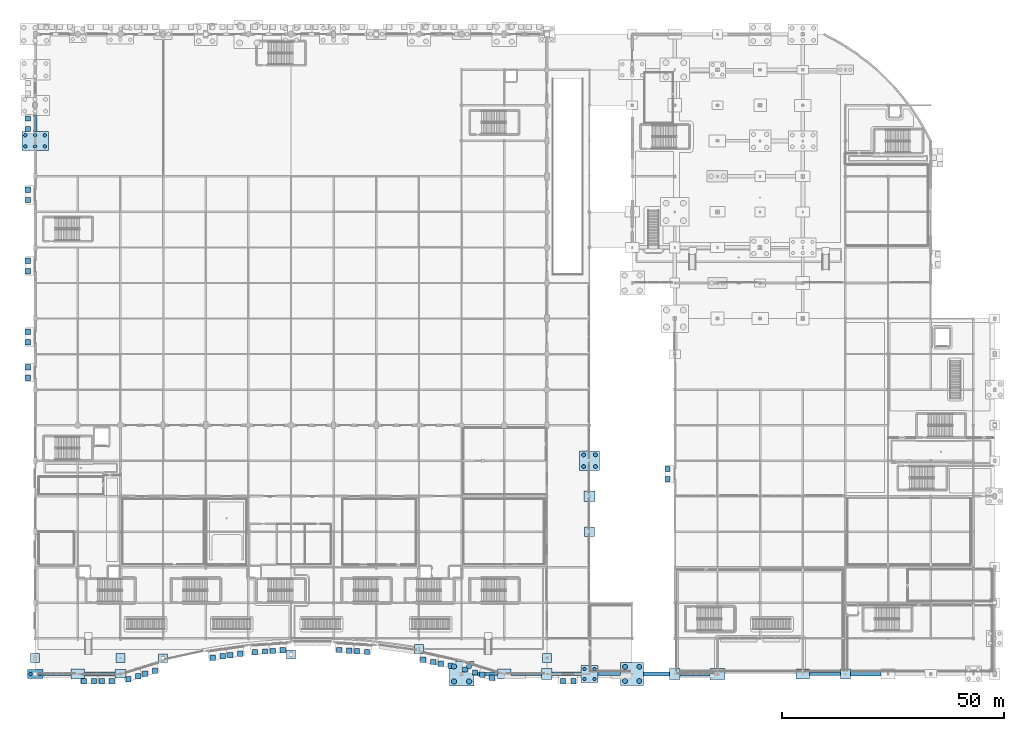
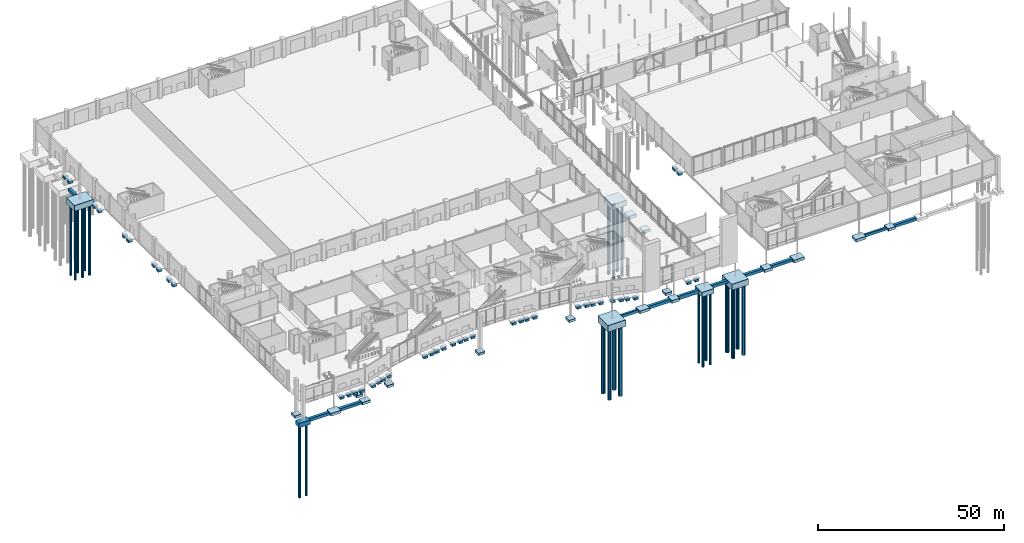
# One storey, part 1 of 124: 75 footings, 24 piles.
"""IFC4 building model written with IfcOpenShell, lengths in metres."""

from ifc_helpers import new_model, si_unit, direction, frame, origin, origin_2d, place, context, subcontext, project, spatial, rectangle, circle, extrude, material, material_profile, profile_set, type_object, element, save


model = new_model("IFC4")

# Units and contexts
model_context = context("Model", 3, precision=1e-05, world=origin(), true_north=direction((0.0, 1.0)))
body_context = subcontext(model_context, "Body", "Model", "MODEL_VIEW")
ifc_project = project(units=[si_unit("LENGTHUNIT", "METRE"), si_unit("AREAUNIT", "SQUARE_METRE"), si_unit("VOLUMEUNIT", "CUBIC_METRE"), si_unit("PLANEANGLEUNIT", "RADIAN"), si_unit("MASSUNIT", "GRAM", prefix="KILO")], contexts=[model_context])

# Site, building, storey
site_placement = place(None, origin())
site = spatial("IfcSite", under=ifc_project, at=site_placement, CompositionType="ELEMENT")
building_placement = place(site_placement, origin())
building = spatial("IfcBuilding", under=site, at=building_placement, Name="Danafjord Basin Convention Centre", CompositionType="ELEMENT")
storey_placement = place(building_placement, origin())
storey = spatial("IfcBuildingStorey", under=building, at=storey_placement, Name="L00", CompositionType="ELEMENT", Elevation=0.0)

# Footings
ifc_material_1 = material(Name="Concrete C40/50", Category="concrete")
footing_type_1 = type_object("IfcFootingType", Name="CAP-PC-01", PredefinedType="PILE_CAP", material=ifc_material_1)
footing_1_placement = place(storey_placement, frame((0.0, 0.0, -6.800048828125), z_axis=(0.0, 0.0, 1.0), x_axis=(1.0, 0.0, 0.0)))
element("IfcFooting", 1, at=footing_1_placement, inside=storey, type_object=footing_type_1, Name="L00 pile cap PC-01 at (0.0, 0.0)", PredefinedType="PILE_CAP", context=body_context, shape_type="SweptSolid", body=[
    extrude(rectangle(XDim=3.5, YDim=2.0, at=origin_2d()), origin(), (0.0, 0.0, 1.0), 1.39990234375),
])
footing_type_2 = type_object("IfcFootingType", Name="CAP-PC-07", PredefinedType="PILE_CAP", material=ifc_material_1)
footing_2_placement = place(storey_placement, frame((124.800048828125, 0.0, -6.9501953125), z_axis=(0.0, 0.0, 1.0), x_axis=(1.0, 0.0, 0.0)))
element("IfcFooting", 2, at=footing_2_placement, inside=storey, type_object=footing_type_2, Name="L00 pile cap PC-07 at (124.8, 0.0)", PredefinedType="PILE_CAP", context=body_context, shape_type="SweptSolid", body=[
    extrude(rectangle(XDim=3.800048828125, YDim=3.800048828125, at=origin_2d()), origin(), (0.0, 0.0, 1.0), 1.550048828125),
])
footing_type_3 = type_object("IfcFootingType", Name="CAP-PC-09", PredefinedType="PILE_CAP", material=ifc_material_1)
footing_3_placement = place(storey_placement, frame((124.800048828125, 48.0, -7.10009765625), z_axis=(0.0, 0.0, 1.0), x_axis=(1.0, 0.0, 0.0)))
element("IfcFooting", 3, at=footing_3_placement, inside=storey, type_object=footing_type_3, Name="L00 pile cap PC-09 at (124.8, 48.0)", PredefinedType="PILE_CAP", context=body_context, shape_type="SweptSolid", body=[
    extrude(rectangle(XDim=4.39990234375, YDim=4.39990234375, at=origin_2d()), origin(), (0.0, 0.0, 1.0), 1.699951171875),
])
footing_type_4 = type_object("IfcFootingType", Name="CAP-PC-13", PredefinedType="PILE_CAP", material=ifc_material_1)
footing_4_placement = place(storey_placement, frame((134.39990234375, 0.0, -7.39990234375), z_axis=(0.0, 0.0, 1.0), x_axis=(1.0, 0.0, 0.0)))
element("IfcFooting", 4, at=footing_4_placement, inside=storey, type_object=footing_type_4, Name="L00 pile cap PC-13 at (134.4, 0.0)", PredefinedType="PILE_CAP", context=body_context, shape_type="SweptSolid", body=[
    extrude(rectangle(XDim=5.199951171875, YDim=5.199951171875, at=origin_2d()), origin(), (0.0, 0.0, 1.0), 2.0),
])
footing_type_5 = type_object("IfcFootingType", Name="CAP-PC-14", PredefinedType="PILE_CAP", material=ifc_material_1)
footing_5_placement = place(storey_placement, frame((96.0, 0.0, -7.5), z_axis=(0.0, 0.0, 1.0), x_axis=(1.0, 0.0, 0.0)))
element("IfcFooting", 5, at=footing_5_placement, inside=storey, type_object=footing_type_5, Name="L00 pile cap PC-14 at (96.0, 0.0)", PredefinedType="PILE_CAP", context=body_context, shape_type="SweptSolid", body=[
    extrude(rectangle(XDim=5.5, YDim=5.5, at=origin_2d()), origin(), (0.0, 0.0, 1.0), 2.10009765625),
])
footing_type_6 = type_object("IfcFootingType", Name="CAP-PC-16", PredefinedType="PILE_CAP", material=ifc_material_1)
footing_6_placement = place(storey_placement, frame((0.0, 120.0, -7.300048828125), z_axis=(0.0, 0.0, 1.0), x_axis=(1.0, 0.0, 0.0)))
element("IfcFooting", 6, at=footing_6_placement, inside=storey, type_object=footing_type_6, Name="L00 pile cap PC-16 at (0.0, 120.0)", PredefinedType="PILE_CAP", context=body_context, shape_type="SweptSolid", body=[
    extrude(rectangle(XDim=6.0, YDim=4.300048828125, at=origin_2d()), origin(), (0.0, 0.0, 1.0), 1.89990234375),
])
ifc_material_profile_1 = material_profile(ifc_material_1, rectangle(XDim=0.800048828125, YDim=1.0, at=origin_2d()), Name="GB 800x1000")
ifc_profile_set_1 = profile_set([ifc_material_profile_1], Name="Concrete C40/50")
footing_type_7 = type_object("IfcFootingType", Name="FBM-FB-01", PredefinedType="FOOTING_BEAM", material=ifc_profile_set_1)
footing_7_placement = place(storey_placement, frame((1.75, 0.0, -5.89990234375), z_axis=(1.0, 0.0, 0.0), x_axis=(0.0, 1.0, 0.0)))
element("IfcFooting", 7, at=footing_7_placement, inside=storey, type_object=footing_type_7, Name="L00 foundation beam FB-01", PredefinedType="FOOTING_BEAM", context=body_context, shape_type="SweptSolid", body=[
    extrude(rectangle(XDim=0.800048828125, YDim=1.0, at=origin_2d()), origin(), (0.0, 0.0, 1.0), 6.300048828125),
])
footing_8_placement = place(storey_placement, frame((0.0, 122.14990234375, -5.89990234375), z_axis=(0.0, 1.0, 0.0), x_axis=(-1.0, 0.0, 0.0)))
element("IfcFooting", 8, at=footing_8_placement, inside=storey, type_object=footing_type_7, Name="L00 foundation tie beam FB-01", PredefinedType="FOOTING_BEAM", context=body_context, shape_type="SweptSolid", body=[
    extrude(rectangle(XDim=0.800048828125, YDim=1.0, at=origin_2d()), origin(), (0.0, 0.0, 1.0), 3.60009765625),
])
footing_9_placement = place(storey_placement, frame((107.14990234375, 0.0, -5.89990234375), z_axis=(1.0, 0.0, 0.0), x_axis=(0.0, 1.0, 0.0)))
element("IfcFooting", 9, at=footing_9_placement, inside=storey, type_object=footing_type_7, Name="L00 foundation beam FB-01", PredefinedType="FOOTING_BEAM", context=body_context, shape_type="SweptSolid", body=[
    extrude(rectangle(XDim=0.800048828125, YDim=1.0, at=origin_2d()), origin(), (0.0, 0.0, 1.0), 6.85009765625),
])
footing_10_placement = place(storey_placement, frame((126.699951171875, 0.0, -5.89990234375), z_axis=(1.0, 0.0, 0.0), x_axis=(0.0, 1.0, 0.0)))
element("IfcFooting", 10, at=footing_10_placement, inside=storey, type_object=footing_type_7, Name="L00 foundation beam FB-01", PredefinedType="FOOTING_BEAM", context=body_context, shape_type="SweptSolid", body=[
    extrude(rectangle(XDim=0.800048828125, YDim=1.0, at=origin_2d()), origin(), (0.0, 0.0, 1.0), 5.10009765625),
])
ifc_material_profile_2 = material_profile(ifc_material_1, rectangle(XDim=0.60009765625, YDim=0.89990234375, at=origin_2d()), Name="GB 600x900")
ifc_profile_set_2 = profile_set([ifc_material_profile_2], Name="Concrete C40/50")
footing_type_8 = type_object("IfcFootingType", Name="FBM-FB-02", PredefinedType="FOOTING_BEAM", material=ifc_profile_set_2)
footing_11_placement = place(storey_placement, frame((98.75, 0.0, -5.85009765625), z_axis=(1.0, 0.0, 0.0), x_axis=(0.0, 1.0, 0.0)))
element("IfcFooting", 11, at=footing_11_placement, inside=storey, type_object=footing_type_8, Name="L00 foundation beam FB-02", PredefinedType="FOOTING_BEAM", context=body_context, shape_type="SweptSolid", body=[
    extrude(rectangle(XDim=0.60009765625, YDim=0.89990234375, at=origin_2d()), origin(), (0.0, 0.0, 1.0), 5.300048828125),
])
footing_12_placement = place(storey_placement, frame((174.35009765625, 0.0, -5.85009765625), z_axis=(1.0, 0.0, 0.0), x_axis=(0.0, 1.0, 0.0)))
element("IfcFooting", 12, at=footing_12_placement, inside=storey, type_object=footing_type_8, Name="L00 foundation beam FB-02", PredefinedType="FOOTING_BEAM", context=body_context, shape_type="SweptSolid", body=[
    extrude(rectangle(XDim=0.60009765625, YDim=0.89990234375, at=origin_2d()), origin(), (0.0, 0.0, 1.0), 6.949951171875),
])
ifc_material_profile_3 = material_profile(ifc_material_1, rectangle(XDim=0.89990234375, YDim=0.89990234375, at=origin_2d()), Name="RC 900x900")
ifc_profile_set_3 = profile_set([ifc_material_profile_3], Name="Concrete C40/50")
footing_type_9 = type_object("IfcFootingType", Name="FBM-FB-05", PredefinedType="FOOTING_BEAM", material=ifc_profile_set_3)
footing_13_placement = place(storey_placement, frame((11.14990234375, 0.0, -5.85009765625), z_axis=(1.0, 0.0, 0.0), x_axis=(0.0, 1.0, 0.0)))
element("IfcFooting", 13, at=footing_13_placement, inside=storey, type_object=footing_type_9, Name="L00 foundation beam FB-05", PredefinedType="FOOTING_BEAM", context=body_context, shape_type="SweptSolid", body=[
    extrude(rectangle(XDim=0.89990234375, YDim=0.89990234375, at=origin_2d()), origin(), (0.0, 0.0, 1.0), 6.800048828125),
])
footing_14_placement = place(storey_placement, frame((137.0, 0.0, -5.85009765625), z_axis=(1.0, 0.0, 0.0), x_axis=(0.0, 1.0, 0.0)))
element("IfcFooting", 14, at=footing_14_placement, inside=storey, type_object=footing_type_9, Name="L00 foundation beam FB-05", PredefinedType="FOOTING_BEAM", context=body_context, shape_type="SweptSolid", body=[
    extrude(rectangle(XDim=0.89990234375, YDim=0.89990234375, at=origin_2d()), origin(), (0.0, 0.0, 1.0), 5.800048828125),
])
footing_15_placement = place(storey_placement, frame((145.199951171875, 0.0, -5.85009765625), z_axis=(1.0, 0.0, 0.0), x_axis=(0.0, 1.0, 0.0)))
element("IfcFooting", 15, at=footing_15_placement, inside=storey, type_object=footing_type_9, Name="L00 foundation beam FB-05", PredefinedType="FOOTING_BEAM", context=body_context, shape_type="SweptSolid", body=[
    extrude(rectangle(XDim=0.89990234375, YDim=0.89990234375, at=origin_2d()), origin(), (0.0, 0.0, 1.0), 6.75),
])
footing_16_placement = place(storey_placement, frame((183.5, 0.0, -5.85009765625), z_axis=(1.0, 0.0, 0.0), x_axis=(0.0, 1.0, 0.0)))
element("IfcFooting", 16, at=footing_16_placement, inside=storey, type_object=footing_type_9, Name="L00 foundation beam FB-05", PredefinedType="FOOTING_BEAM", context=body_context, shape_type="SweptSolid", body=[
    extrude(rectangle(XDim=0.89990234375, YDim=0.89990234375, at=origin_2d()), origin(), (0.0, 0.0, 1.0), 6.949951171875),
])
ifc_material_profile_4 = material_profile(ifc_material_1, rectangle(XDim=0.800048828125, YDim=1.199951171875, at=origin_2d()), Name="RC 1200x800")
ifc_profile_set_4 = profile_set([ifc_material_profile_4], Name="Concrete C40/50")
footing_type_10 = type_object("IfcFootingType", Name="FBM-FB-06", PredefinedType="FOOTING_BEAM", material=ifc_profile_set_4)
footing_17_placement = place(storey_placement, frame((116.39990234375, 0.0, -6.0), z_axis=(1.0, 0.0, 0.0), x_axis=(0.0, 1.0, 0.0)))
element("IfcFooting", 17, at=footing_17_placement, inside=storey, type_object=footing_type_10, Name="L00 foundation beam FB-06", PredefinedType="FOOTING_BEAM", context=body_context, shape_type="SweptSolid", body=[
    extrude(rectangle(XDim=0.800048828125, YDim=1.199951171875, at=origin_2d()), origin(), (0.0, 0.0, 1.0), 6.5),
])
ifc_material_2 = material(Name="Concrete C35/45", Category="concrete")
footing_type_11 = type_object("IfcFootingType", Name="PAD-PF-01", PredefinedType="PAD_FOOTING", material=ifc_material_2)
for number, where, z_axis, x_axis, name in (
    (18, (28.800048828125, 3.530029296875, -6.2001953125), (0.0, 0.0, 1.0), (1.0, 0.0, 0.0), "L00 pad footing PF-01 at (28.8, 3.5)"),
    (19, (86.39990234375, 5.64306640625, -6.2001953125), (0.0, 0.0, 1.0), (1.0, 0.0, 0.0), "L00 pad footing PF-01 at (86.4, 5.6)"),
    (20, (0.0, 3.60009765625, -6.2001953125), (0.0, 0.0, 1.0), (1.0, 0.0, 0.0), "L00 pad footing PF-01 at (0.0, 3.6)"),
    (21, (19.199951171875, 3.60009765625, -6.2001953125), (0.0, 0.0, 1.0), (1.0, 0.0, 0.0), "L00 pad footing PF-01 at (19.2, 3.6)"),
    (22, (57.60009765625, 4.39990234375, -6.2001953125), (0.0, 0.0, 1.0), (1.0, 0.0, 0.0), "L00 pad footing PF-01 at (57.6, 4.4)"),
    (23, (115.199951171875, 3.60009765625, -6.2001953125), (0.0, 0.0, 1.0), (1.0, 0.0, 0.0), "L00 pad footing PF-01 at (115.2, 3.6)"),
):
    element("IfcFooting", number, at=place(storey_placement, frame(where, z_axis=z_axis, x_axis=x_axis)), inside=storey, type_object=footing_type_11, Name=name, PredefinedType="PAD_FOOTING", context=body_context, shape_type="SweptSolid", body=[
        extrude(rectangle(XDim=2.0, YDim=2.0, at=origin_2d()), origin(), (0.0, 0.0, 1.0), 0.800048828125),
    ])
for number, where, z_axis, x_axis, name in (
    (24, (-1.64990234375, 66.6630859375, -1.080078125), (0.0, 0.0, 1.0), (1.0, 0.0, 0.0), "Threshold apron pad footing"),
    (25, (-1.64990234375, 69.01708984375, -1.080078125), (0.0, 0.0, 1.0), (1.0, 0.0, 0.0), "Threshold apron pad footing"),
    (26, (-1.64990234375, 74.6630859375, -1.080078125), (0.0, 0.0, 1.0), (1.0, 0.0, 0.0), "Threshold apron pad footing"),
    (27, (-1.64990234375, 77.01708984375, -1.080078125), (0.0, 0.0, 1.0), (1.0, 0.0, 0.0), "Threshold apron pad footing"),
    (28, (-1.64990234375, 90.6630859375, -1.080078125), (0.0, 0.0, 1.0), (1.0, 0.0, 0.0), "Threshold apron pad footing"),
    (29, (-1.64990234375, 93.01708984375, -1.080078125), (0.0, 0.0, 1.0), (1.0, 0.0, 0.0), "Threshold apron pad footing"),
    (30, (-1.64990234375, 106.6630859375, -1.080078125), (0.0, 0.0, 1.0), (1.0, 0.0, 0.0), "Threshold apron pad footing"),
    (31, (-1.64990234375, 109.01708984375, -1.080078125), (0.0, 0.0, 1.0), (1.0, 0.0, 0.0), "Threshold apron pad footing"),
    (32, (-1.64990234375, 122.6630859375, -1.080078125), (0.0, 0.0, 1.0), (1.0, 0.0, 0.0), "Threshold apron pad footing"),
    (33, (-1.64990234375, 125.01708984375, -1.080078125), (0.0, 0.0, 1.0), (1.0, 0.0, 0.0), "Threshold apron pad footing"),
    (34, (10.98095703125, -1.64990234375, -1.080078125), (0.0, 0.0, 1.0), (1.0, 0.0, 0.0), "Threshold apron pad footing"),
    (35, (13.258056640625, -1.64990234375, -1.080078125), (0.0, 0.0, 1.0), (1.0, 0.0, 0.0), "Threshold apron pad footing"),
    (36, (14.98193359375, -1.64990234375, -1.080078125), (0.0, 0.0, 1.0), (1.0, 0.0, 0.0), "Threshold apron pad footing"),
    (37, (17.259033203125, -1.64990234375, -1.080078125), (0.0, 0.0, 1.0), (1.0, 0.0, 0.0), "Threshold apron pad footing"),
    (38, (21.009033203125, -1.1669921875, -1.080078125), (0.0, 0.0, 1.0), (1.0, 0.0, 0.0), "Threshold apron pad footing"),
    (39, (23.18310546875, -0.490966796875, -1.080078125), (0.0, 0.0, 1.0), (1.0, 0.0, 0.0), "Threshold apron pad footing"),
    (40, (24.8291015625, 0.01904296875, -1.080078125), (0.0, 0.0, 1.0), (1.0, 0.0, 0.0), "Threshold apron pad footing"),
    (41, (27.0029296875, 0.695068359375, -1.080078125), (0.0, 0.0, 1.0), (1.0, 0.0, 0.0), "Threshold apron pad footing"),
    (42, (39.9990234375, 3.653076171875, -1.080078125), (0.0, 0.0, 1.0), (1.0, 0.0, 0.0), "Threshold apron pad footing"),
    (43, (42.2529296875, 3.972900390625, -1.080078125), (0.0, 0.0, 1.0), (1.0, 0.0, 0.0), "Threshold apron pad footing"),
    (44, (43.9599609375, 4.212890625, -1.080078125), (0.0, 0.0, 1.0), (1.0, 0.0, 0.0), "Threshold apron pad footing"),
    (45, (46.214111328125, 4.532958984375, -1.080078125), (0.0, 0.0, 1.0), (1.0, 0.0, 0.0), "Threshold apron pad footing"),
    (46, (49.491943359375, 4.90087890625, -1.080078125), (0.0, 0.0, 1.0), (1.0, 0.0, 0.0), "Threshold apron pad footing"),
    (47, (51.763916015625, 5.05908203125, -1.080078125), (0.0, 0.0, 1.0), (1.0, 0.0, 0.0), "Threshold apron pad footing"),
    (48, (53.48193359375, 5.177978515625, -1.080078125), (0.0, 0.0, 1.0), (1.0, 0.0, 0.0), "Threshold apron pad footing"),
    (49, (55.75390625, 5.3359375, -1.080078125), (0.0, 0.0, 1.0), (1.0, 0.0, 0.0), "Threshold apron pad footing"),
    (50, (68.464111328125, 5.3759765625, -1.080078125), (0.0, 0.0, 1.0), (1.0, 0.0, 0.0), "Threshold apron pad footing"),
    (51, (70.736083984375, 5.218017578125, -1.080078125), (0.0, 0.0, 1.0), (1.0, 0.0, 0.0), "Threshold apron pad footing"),
    (52, (72.4541015625, 5.09912109375, -1.080078125), (0.0, 0.0, 1.0), (1.0, 0.0, 0.0), "Threshold apron pad footing"),
    (53, (74.72607421875, 4.94091796875, -1.080078125), (0.0, 0.0, 1.0), (1.0, 0.0, 0.0), "Threshold apron pad footing"),
    (54, (87.39404296875, 3.18505859375, -1.080078125), (0.0, 0.0, 1.0), (1.0, 0.0, 0.0), "Threshold apron pad footing"),
    (55, (89.617919921875, 2.695068359375, -1.080078125), (0.0, 0.0, 1.0), (1.0, 0.0, 0.0), "Threshold apron pad footing"),
    (56, (91.301025390625, 2.324951171875, -1.080078125), (0.0, 0.0, 1.0), (1.0, 0.0, 0.0), "Threshold apron pad footing"),
    (57, (93.52490234375, 1.8349609375, -1.080078125), (0.0, 0.0, 1.0), (1.0, 0.0, 0.0), "Threshold apron pad footing"),
    (58, (96.8310546875, 0.9951171875, -1.080078125), (0.0, 0.0, 1.0), (1.0, 0.0, 0.0), "Threshold apron pad footing"),
    (59, (99.0048828125, 0.319091796875, -1.080078125), (0.0, 0.0, 1.0), (1.0, 0.0, 0.0), "Threshold apron pad footing"),
    (60, (100.65087890625, -0.19091796875, -1.080078125), (0.0, 0.0, 1.0), (1.0, 0.0, 0.0), "Threshold apron pad footing"),
    (61, (102.824951171875, -0.866943359375, -1.080078125), (0.0, 0.0, 1.0), (1.0, 0.0, 0.0), "Threshold apron pad footing"),
    (62, (142.35009765625, 43.861083984375, -1.080078125), (0.0, 0.0, 1.0), (1.0, 0.0, 0.0), "Threshold apron pad footing"),
    (63, (142.35009765625, 46.138916015625, -1.080078125), (0.0, 0.0, 1.0), (1.0, 0.0, 0.0), "Threshold apron pad footing"),
    (64, (118.822998046875, -1.64990234375, -1.080078125), (0.0, 0.0, 1.0), (1.0, 0.0, 0.0), "Threshold apron pad footing"),
    (65, (121.177001953125, -1.64990234375, -1.080078125), (0.0, 0.0, 1.0), (1.0, 0.0, 0.0), "Threshold apron pad footing"),
):
    element("IfcFooting", number, at=place(storey_placement, frame(where, z_axis=z_axis, x_axis=x_axis)), inside=storey, type_object=footing_type_11, Name=name, PredefinedType="PAD_FOOTING", context=body_context, shape_type="SweptSolid", body=[
        extrude(rectangle(XDim=1.199951171875, YDim=1.199951171875, at=origin_2d()), origin(), (0.0, 0.0, 1.0), 0.800048828125),
    ])
footing_type_12 = type_object("IfcFootingType", Name="PAD-PF-02", PredefinedType="PAD_FOOTING", material=ifc_material_2)
for number, where, z_axis, x_axis, name in (
    (66, (124.800048828125, 32.0, -6.25), (0.0, 0.0, 1.0), (1.0, 0.0, 0.0), "L00 pad footing PF-02 at (124.8, 32.0)"),
    (67, (182.39990234375, 0.0, -6.25), (0.0, 0.0, 1.0), (1.0, 0.0, 0.0), "L00 pad footing PF-02 at (182.4, 0.0)"),
):
    element("IfcFooting", number, at=place(storey_placement, frame(where, z_axis=z_axis, x_axis=x_axis)), inside=storey, type_object=footing_type_12, Name=name, PredefinedType="PAD_FOOTING", context=body_context, shape_type="SweptSolid", body=[
        extrude(rectangle(XDim=2.199951171875, YDim=2.199951171875, at=origin_2d()), origin(), (0.0, 0.0, 1.0), 0.85009765625),
    ])
footing_type_13 = type_object("IfcFootingType", Name="PAD-PF-03", PredefinedType="PAD_FOOTING", material=ifc_material_2)
for number, where, z_axis, x_axis, name in (
    (68, (115.199951171875, 0.0, -6.300048828125), (0.0, 0.0, 1.0), (1.0, 0.0, 0.0), "L00 pad footing PF-03 at (115.2, 0.0)"),
    (69, (124.800048828125, 40.0, -6.300048828125), (0.0, 0.0, 1.0), (1.0, 0.0, 0.0), "L00 pad footing PF-03 at (124.8, 40.0)"),
    (70, (144.0, 0.0, -6.300048828125), (0.0, 0.0, 1.0), (1.0, 0.0, 0.0), "L00 pad footing PF-03 at (144.0, 0.0)"),
):
    element("IfcFooting", number, at=place(storey_placement, frame(where, z_axis=z_axis, x_axis=x_axis)), inside=storey, type_object=footing_type_13, Name=name, PredefinedType="PAD_FOOTING", context=body_context, shape_type="SweptSolid", body=[
        extrude(rectangle(XDim=2.39990234375, YDim=2.39990234375, at=origin_2d()), origin(), (0.0, 0.0, 1.0), 0.89990234375),
    ])
footing_type_14 = type_object("IfcFootingType", Name="PAD-PF-08", PredefinedType="PAD_FOOTING", material=ifc_material_2)
for number, where, z_axis, x_axis, name in (
    (71, (9.60009765625, 0.0, -6.300048828125), (0.0, 0.0, 1.0), (1.0, 0.0, 0.0), "L00 pad footing PF-08 at (9.6, 0.0)"),
    (72, (105.60009765625, 0.0, -6.300048828125), (0.0, 0.0, 1.0), (1.0, 0.0, 0.0), "L00 pad footing PF-08 at (105.6, 0.0)"),
    (73, (172.800048828125, 0.0, -6.300048828125), (0.0, 0.0, 1.0), (1.0, 0.0, 0.0), "L00 pad footing PF-08 at (172.8, 0.0)"),
):
    element("IfcFooting", number, at=place(storey_placement, frame(where, z_axis=z_axis, x_axis=x_axis)), inside=storey, type_object=footing_type_14, Name=name, PredefinedType="PAD_FOOTING", context=body_context, shape_type="SweptSolid", body=[
        extrude(rectangle(XDim=3.10009765625, YDim=2.25, at=origin_2d()), origin(), (0.0, 0.0, 1.0), 0.89990234375),
    ])
footing_type_15 = type_object("IfcFootingType", Name="PAD-PF-09", PredefinedType="PAD_FOOTING", material=ifc_material_2)
footing_18_placement = place(storey_placement, frame((153.60009765625, 0.0, -6.35009765625), z_axis=(0.0, 0.0, 1.0), x_axis=(1.0, 0.0, 0.0)))
element("IfcFooting", 74, at=footing_18_placement, inside=storey, type_object=footing_type_15, Name="L00 pad footing PF-09 at (153.6, 0.0)", PredefinedType="PAD_FOOTING", context=body_context, shape_type="SweptSolid", body=[
    extrude(rectangle(XDim=3.300048828125, YDim=2.39990234375, at=origin_2d()), origin(), (0.0, 0.0, 1.0), 0.949951171875),
])
footing_type_16 = type_object("IfcFootingType", Name="PAD-PF-12", PredefinedType="PAD_FOOTING", material=ifc_material_2)
footing_19_placement = place(storey_placement, frame((19.199951171875, 0.0, -6.2001953125), z_axis=(0.0, 0.0, 1.0), x_axis=(1.0, 0.0, 0.0)))
element("IfcFooting", 75, at=footing_19_placement, inside=storey, type_object=footing_type_16, Name="L00 pad footing PF-12 at (19.2, 0.0)", PredefinedType="PAD_FOOTING", context=body_context, shape_type="SweptSolid", body=[
    extrude(rectangle(XDim=2.5, YDim=1.89990234375, at=origin_2d()), origin(), (0.0, 0.0, 1.0), 0.800048828125),
])

# Piles
ifc_material_profile_5 = material_profile(ifc_material_1, circle(Radius=0.550048828125, at=origin_2d()), Name="PILE D1100")
ifc_profile_set_5 = profile_set([ifc_material_profile_5], Name="Concrete C40/50")
pile_type_1 = type_object("IfcPileType", Name="PILE-PL-1100", PredefinedType="BORED", material=ifc_profile_set_5)
for number, where, z_axis, x_axis, name in (
    (76, (132.800048828125, -1.60009765625, -7.300048828125), (0.0, 0.0, -1.0), (1.0, 0.0, 0.0), "PC-13 bored pile 1-1"),
    (77, (132.800048828125, 1.60009765625, -7.300048828125), (0.0, 0.0, -1.0), (1.0, 0.0, 0.0), "PC-13 bored pile 1-2"),
    (78, (136.0, -1.60009765625, -7.300048828125), (0.0, 0.0, -1.0), (1.0, 0.0, 0.0), "PC-13 bored pile 2-1"),
    (79, (136.0, 1.60009765625, -7.300048828125), (0.0, 0.0, -1.0), (1.0, 0.0, 0.0), "PC-13 bored pile 2-2"),
):
    element("IfcPile", number, at=place(storey_placement, frame(where, z_axis=z_axis, x_axis=x_axis)), inside=storey, type_object=pile_type_1, Name=name, PredefinedType="BORED", context=body_context, shape_type="SweptSolid", body=[
        extrude(circle(Radius=0.550048828125, at=origin_2d()), origin(), (0.0, 0.0, 1.0), 23.199951171875),
    ])
ifc_material_profile_6 = material_profile(ifc_material_1, circle(Radius=0.60009765625, at=origin_2d()), Name="PILE D1200")
ifc_profile_set_6 = profile_set([ifc_material_profile_6], Name="Concrete C40/50")
pile_type_2 = type_object("IfcPileType", Name="PILE-PL-1200", PredefinedType="BORED", material=ifc_profile_set_6)
for number, where, z_axis, x_axis, name in (
    (80, (94.300048828125, -1.699951171875, -7.39990234375), (0.0, 0.0, -1.0), (1.0, 0.0, 0.0), "PC-14 bored pile 1-1"),
    (81, (94.300048828125, 1.699951171875, -7.39990234375), (0.0, 0.0, -1.0), (1.0, 0.0, 0.0), "PC-14 bored pile 1-2"),
    (82, (97.699951171875, -1.699951171875, -7.39990234375), (0.0, 0.0, -1.0), (1.0, 0.0, 0.0), "PC-14 bored pile 2-1"),
    (83, (97.699951171875, 1.699951171875, -7.39990234375), (0.0, 0.0, -1.0), (1.0, 0.0, 0.0), "PC-14 bored pile 2-2"),
):
    element("IfcPile", number, at=place(storey_placement, frame(where, z_axis=z_axis, x_axis=x_axis)), inside=storey, type_object=pile_type_2, Name=name, PredefinedType="BORED", context=body_context, shape_type="SweptSolid", body=[
        extrude(circle(Radius=0.60009765625, at=origin_2d()), origin(), (0.0, 0.0, 1.0), 23.10009765625),
    ])
ifc_material_profile_7 = material_profile(ifc_material_1, circle(Radius=0.375, at=origin_2d()), Name="PILE D750")
ifc_profile_set_7 = profile_set([ifc_material_profile_7], Name="Concrete C40/50")
pile_type_3 = type_object("IfcPileType", Name="PILE-PL-750", PredefinedType="BORED", material=ifc_profile_set_7)
for number, where, z_axis, x_axis, name in (
    (84, (-1.050048828125, 0.0, -6.699951171875), (0.0, 0.0, -1.0), (1.0, 0.0, 0.0), "PC-01 bored pile 1-1"),
    (85, (1.050048828125, 0.0, -6.699951171875), (0.0, 0.0, -1.0), (1.0, 0.0, 0.0), "PC-01 bored pile 2-1"),
):
    element("IfcPile", number, at=place(storey_placement, frame(where, z_axis=z_axis, x_axis=x_axis)), inside=storey, type_object=pile_type_3, Name=name, PredefinedType="BORED", context=body_context, shape_type="SweptSolid", body=[
        extrude(circle(Radius=0.375, at=origin_2d()), origin(), (0.0, 0.0, 1.0), 23.800048828125),
    ])
for number, where, z_axis, x_axis, name in (
    (86, (-2.199951171875, 118.75, -7.199951171875), (0.0, 0.0, -1.0), (1.0, 0.0, 0.0), "PC-16 bored pile 1-1"),
    (87, (-2.199951171875, 121.25, -7.199951171875), (0.0, 0.0, -1.0), (1.0, 0.0, 0.0), "PC-16 bored pile 1-2"),
    (88, (0.0, 118.75, -7.199951171875), (0.0, 0.0, -1.0), (1.0, 0.0, 0.0), "PC-16 bored pile 2-1"),
    (89, (0.0, 121.25, -7.199951171875), (0.0, 0.0, -1.0), (1.0, 0.0, 0.0), "PC-16 bored pile 2-2"),
    (90, (2.199951171875, 118.75, -7.199951171875), (0.0, 0.0, -1.0), (1.0, 0.0, 0.0), "PC-16 bored pile 3-1"),
    (91, (2.199951171875, 121.25, -7.199951171875), (0.0, 0.0, -1.0), (1.0, 0.0, 0.0), "PC-16 bored pile 3-2"),
):
    element("IfcPile", number, at=place(storey_placement, frame(where, z_axis=z_axis, x_axis=x_axis)), inside=storey, type_object=pile_type_3, Name=name, PredefinedType="BORED", context=body_context, shape_type="SweptSolid", body=[
        extrude(circle(Radius=0.375, at=origin_2d()), origin(), (0.0, 0.0, 1.0), 23.300048828125),
    ])
for number, where, z_axis, x_axis, name in (
    (92, (123.675048828125, -1.125, -6.85009765625), (0.0, 0.0, -1.0), (1.0, 0.0, 0.0), "PC-07 bored pile 1-1"),
    (93, (123.675048828125, 1.125, -6.85009765625), (0.0, 0.0, -1.0), (1.0, 0.0, 0.0), "PC-07 bored pile 1-2"),
    (94, (125.925048828125, -1.125, -6.85009765625), (0.0, 0.0, -1.0), (1.0, 0.0, 0.0), "PC-07 bored pile 2-1"),
    (95, (125.925048828125, 1.125, -6.85009765625), (0.0, 0.0, -1.0), (1.0, 0.0, 0.0), "PC-07 bored pile 2-2"),
):
    element("IfcPile", number, at=place(storey_placement, frame(where, z_axis=z_axis, x_axis=x_axis)), inside=storey, type_object=pile_type_3, Name=name, PredefinedType="BORED", context=body_context, shape_type="SweptSolid", body=[
        extrude(circle(Radius=0.375, at=origin_2d()), origin(), (0.0, 0.0, 1.0), 23.64990234375),
    ])
ifc_material_profile_8 = material_profile(ifc_material_1, circle(Radius=0.449951171875, at=origin_2d()), Name="PILE D900")
ifc_profile_set_8 = profile_set([ifc_material_profile_8], Name="Concrete C40/50")
pile_type_4 = type_object("IfcPileType", Name="PILE-PL-900", PredefinedType="BORED", material=ifc_profile_set_8)
for number, where, z_axis, x_axis, name in (
    (96, (123.47509765625, 46.675048828125, -7.0), (0.0, 0.0, -1.0), (1.0, 0.0, 0.0), "PC-09 bored pile 1-1"),
    (97, (123.47509765625, 49.324951171875, -7.0), (0.0, 0.0, -1.0), (1.0, 0.0, 0.0), "PC-09 bored pile 1-2"),
    (98, (126.125, 46.675048828125, -7.0), (0.0, 0.0, -1.0), (1.0, 0.0, 0.0), "PC-09 bored pile 2-1"),
    (99, (126.125, 49.324951171875, -7.0), (0.0, 0.0, -1.0), (1.0, 0.0, 0.0), "PC-09 bored pile 2-2"),
):
    element("IfcPile", number, at=place(storey_placement, frame(where, z_axis=z_axis, x_axis=x_axis)), inside=storey, type_object=pile_type_4, Name=name, PredefinedType="BORED", context=body_context, shape_type="SweptSolid", body=[
        extrude(circle(Radius=0.449951171875, at=origin_2d()), origin(), (0.0, 0.0, 1.0), 23.5),
    ])

save(model, "model.ifc")
